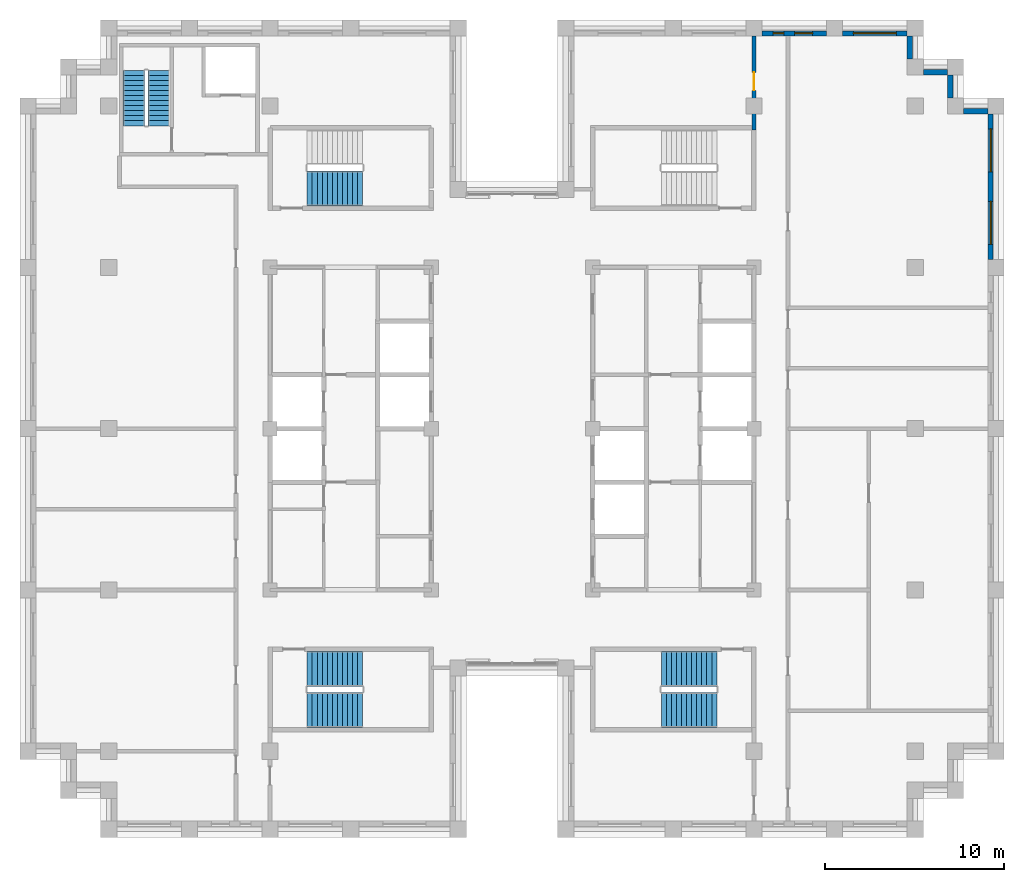
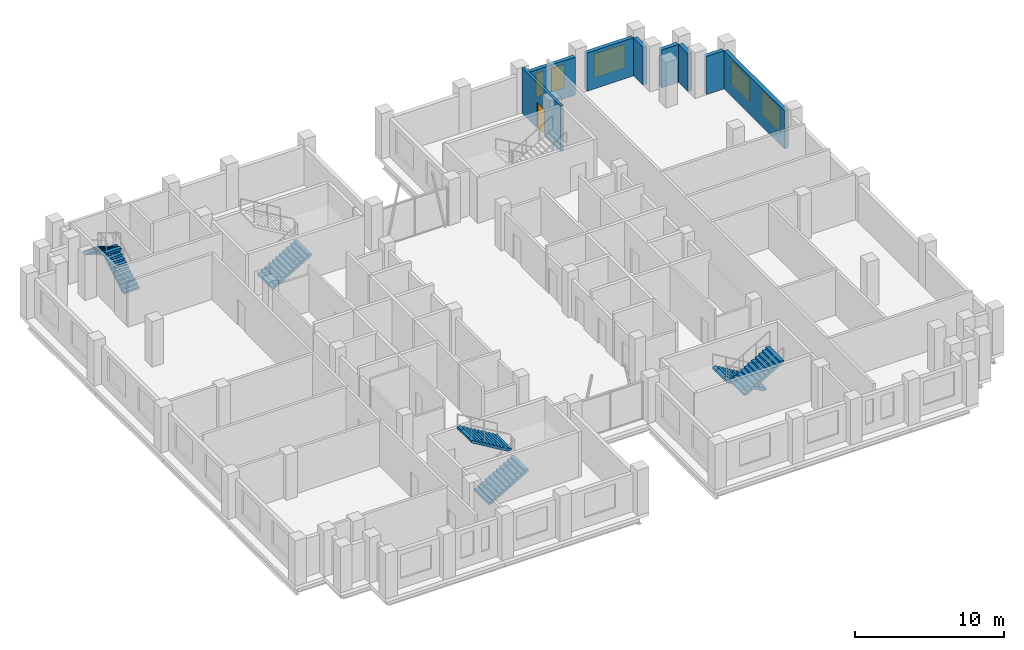
# One storey, part 11 of 13: 8 walls, 7 stair flights, 5 windows, 1 door, 6 openings, 4 elements without a shape of their own.
"""IFC4 building model written with IfcOpenShell, lengths in metres."""

import ifcopenshell
import ifcopenshell.guid

model = None  # the IFC model being written
_history = None  # IfcOwnerHistory: only IFC2X3 demands one
_inside = {}  # id of a spatial element -> (the spatial element, [elements in it])
_under = {}  # id of a project, library or spatial element -> (it, [spatial elements below it])
_declared = {}  # id of a project -> (the project, [libraries it declares])
_typed = {}  # id of a type object -> (the type object, [elements of that type])
_made_of = {}  # id of a material, layer set ... -> (it, [elements and type objects made of it])


def new_model(schema):
    """Start an empty IFC model of exactly this schema.

    Asked for "IFC4X3", IfcOpenShell would pick the latest addendum, in which some entities
    have other attributes; the version numbers below select the first issue.
    IFC2X3 requires an IfcOwnerHistory on every rooted entity: one is made here for all.
    """
    global model, _history
    if schema == "IFC4X3":
        model = ifcopenshell.file(schema_version=(4, 3, 0, 0))
    else:
        model = ifcopenshell.file(schema=schema)
    _inside.clear()
    _under.clear()
    _declared.clear()
    _typed.clear()
    _made_of.clear()
    _history = None
    if model.schema == "IFC2X3":
        org = make("IfcOrganization", Name="unknown")
        user = make(
            "IfcPersonAndOrganization",
            ThePerson=make("IfcPerson", FamilyName="unknown"),
            TheOrganization=org,
        )
        app = make(
            "IfcApplication",
            ApplicationDeveloper=org,
            Version="unknown",
            ApplicationFullName="unknown",
            ApplicationIdentifier="unknown",
        )
        _history = make(
            "IfcOwnerHistory",
            OwningUser=user,
            OwningApplication=app,
            ChangeAction="ADDED",
            CreationDate=0,
        )
    return model


def make(cls, **values):
    """One entity of the class cls with the attributes given. An attribute that is None is left unset."""
    return model.create_entity(
        cls, **{name: value for name, value in values.items() if value is not None}
    )


def rooted(cls, **values):
    """An entity with a GlobalId (a new one), such as an element, a storey or a relation."""
    return make(cls, GlobalId=ifcopenshell.guid.new(), OwnerHistory=_history, **values)


def si_unit(unit_type, name, prefix=None):
    """IfcSIUnit, for example si_unit("LENGTHUNIT", "METRE", prefix="MILLI")."""
    return make("IfcSIUnit", UnitType=unit_type, Prefix=prefix, Name=name)


def assignment(units):
    """IfcUnitAssignment: the units of a project."""
    return None if units is None else make("IfcUnitAssignment", Units=units)


def point(xyz):
    """IfcCartesianPoint."""
    return None if xyz is None else make("IfcCartesianPoint", Coordinates=xyz)


def direction(xyz):
    """IfcDirection."""
    return None if xyz is None else make("IfcDirection", DirectionRatios=xyz)


def frame(location, z_axis=None, x_axis=None):
    """IfcAxis2Placement3D, a coordinate frame: its origin and axes. An axis left out is left unset."""
    return make(
        "IfcAxis2Placement3D",
        Location=point(location),
        Axis=direction(z_axis),
        RefDirection=direction(x_axis),
    )


def frame_2d(location, x_axis=None):
    """IfcAxis2Placement2D, a coordinate frame in the plane: its origin and x axis."""
    return make(
        "IfcAxis2Placement2D", Location=point(location), RefDirection=direction(x_axis)
    )


def origin():
    """The frame at (0, 0, 0) with its axes left unset."""
    return frame((0.0, 0.0, 0.0))


def place(relative_to, where):
    """IfcLocalPlacement: puts the frame where relative to a parent placement (None: the world)."""
    return make(
        "IfcLocalPlacement", PlacementRelTo=relative_to, RelativePlacement=where
    )


def context(
    kind, dimensions, precision=None, world=None, true_north=None, identifier=None
):
    """IfcGeometricRepresentationContext, for example the 3D "Model" context."""
    return make(
        "IfcGeometricRepresentationContext",
        ContextIdentifier=identifier,
        ContextType=kind,
        CoordinateSpaceDimension=dimensions,
        Precision=precision,
        WorldCoordinateSystem=world,
        TrueNorth=true_north,
    )


def subcontext(parent, identifier, kind, view, scale=None):
    """IfcGeometricRepresentationSubContext, for example "Body" below "Model"."""
    return make(
        "IfcGeometricRepresentationSubContext",
        ContextIdentifier=identifier,
        ContextType=kind,
        ParentContext=parent,
        TargetScale=scale,
        TargetView=view,
    )


def project(units=None, contexts=None):
    """IfcProject with its units and contexts."""
    return rooted(
        "IfcProject",
        Name="project",
        RepresentationContexts=contexts,
        UnitsInContext=assignment(units),
    )


def spatial(cls, under=None, at=None, **own):
    """A site, building, storey or space (cls), placed at a placement, below another one or the project."""
    s = rooted(cls, ObjectPlacement=at, **own)
    if under is not None:
        _under.setdefault(under.id(), (under, []))[1].append(s)
    return s


def polyline(points):
    """IfcPolyline through the points."""
    return make("IfcPolyline", Points=[point(p) for p in points])


def profile(cls, at=None, kind="AREA", **sizes):
    """A parametric profile (cls). Its sizes go by their IFC names, for example OverallWidth=200.0."""
    return make(cls, ProfileType=kind, Position=at, **sizes)


def rectangle(**sizes):
    """IfcRectangleProfileDef."""
    return profile("IfcRectangleProfileDef", **sizes)


def outline(outer, holes=None, kind="AREA"):
    """IfcArbitraryClosedProfileDef: a profile drawn as a closed curve; with holes, ...WithVoids."""
    if holes is None:
        return make("IfcArbitraryClosedProfileDef", ProfileType=kind, OuterCurve=outer)
    return make(
        "IfcArbitraryProfileDefWithVoids",
        ProfileType=kind,
        OuterCurve=outer,
        InnerCurves=holes,
    )


def extrude(swept, where, along, depth):
    """IfcExtrudedAreaSolid: the profile swept, set in the frame where, extruded along a direction by depth."""
    return make(
        "IfcExtrudedAreaSolid",
        SweptArea=swept,
        Position=where,
        ExtrudedDirection=direction(along),
        Depth=depth,
    )


def shape(context_of_items, identifier, shape_type, items):
    """IfcShapeRepresentation: the items that make up one representation, for example the "Body"."""
    return make(
        "IfcShapeRepresentation",
        ContextOfItems=context_of_items,
        RepresentationIdentifier=identifier,
        RepresentationType=shape_type,
        Items=items,
    )


def material(Name=None, Category=None):
    """IfcMaterial."""
    return make("IfcMaterial", Name=Name, Category=Category)


def layer(
    of_material, thickness, ventilated=None, Name=None, Category=None, Priority=None
):
    """IfcMaterialLayer: one layer of a wall or slab, of a material (None: an air gap)."""
    return make(
        "IfcMaterialLayer",
        Material=of_material,
        LayerThickness=thickness,
        IsVentilated=ventilated,
        Name=Name,
        Category=Category,
        Priority=Priority,
    )


def layer_set(layers, Name=None):
    """IfcMaterialLayerSet."""
    return make("IfcMaterialLayerSet", MaterialLayers=layers, LayerSetName=Name)


def made_of(thing, what):
    """Note that an element or type object is made of a material, layer set ...; save() writes the relation."""
    if what is not None:
        _made_of.setdefault(what.id(), (what, []))[1].append(thing)
    return thing


def type_object(cls, material=None, **own):
    """A type object (cls), such as IfcWallType, which elements share."""
    return made_of(rooted(cls, **own), material)


def element(
    cls,
    number,
    at=None,
    inside=None,
    cuts=None,
    type_object=None,
    material=None,
    context=None,
    identifier="Body",
    shape_type=None,
    held_by="IfcProductDefinitionShape",
    body=None,
    shapes=None,
    **own,
):
    """One element of the class cls, such as IfcWall. Its Tag is "e" and its number.

    at: its placement. inside: the storey or other place that contains it. cuts: it is an
    opening in that element (IfcRelVoidsElement). A single representation is given by context,
    identifier, shape_type and body (its items); several are given by shapes. held_by: the class
    of the entity that holds the representations. save() writes the other relations.
    """
    e = rooted(cls, Tag="e%d" % number, ObjectPlacement=at, **own)
    if body is not None:
        shapes = [shape(context, identifier, shape_type, body)]
    if shapes is not None:
        e.Representation = make(held_by, Representations=shapes)
    if inside is not None:
        _inside.setdefault(inside.id(), (inside, []))[1].append(e)
    if cuts is not None:
        rooted(
            "IfcRelVoidsElement", RelatingBuildingElement=cuts, RelatedOpeningElement=e
        )
    if type_object is not None:
        _typed.setdefault(type_object.id(), (type_object, []))[1].append(e)
    return made_of(e, material)


def fill(opening, filler):
    """IfcRelFillsElement: the door or window that sits in an opening."""
    return rooted(
        "IfcRelFillsElement",
        RelatingOpeningElement=opening,
        RelatedBuildingElement=filler,
    )


def aggregate(whole, parts):
    """IfcRelAggregates: a whole, such as a stair, and the parts it consists of."""
    return rooted("IfcRelAggregates", RelatingObject=whole, RelatedObjects=parts)


def save(model, path):
    """Write the relations noted so far, then the file.

    IfcRelAggregates (storeys below a building ...), IfcRelContainedInSpatialStructure (elements
    in a storey), IfcRelDefinesByType, IfcRelAssociatesMaterial and IfcRelDeclares: one each for
    every whole, place, type object, material and project.
    """
    for whole, parts in _under.values():
        aggregate(whole, parts)
    for where, things in _inside.values():
        rooted(
            "IfcRelContainedInSpatialStructure",
            RelatedElements=things,
            RelatingStructure=where,
        )
    for kind, things in _typed.values():
        rooted("IfcRelDefinesByType", RelatedObjects=things, RelatingType=kind)
    for what, things in _made_of.values():
        rooted("IfcRelAssociatesMaterial", RelatedObjects=things, RelatingMaterial=what)
    for by, libraries in _declared.values():
        rooted("IfcRelDeclares", RelatingContext=by, RelatedDefinitions=libraries)
    model.write(path)


model = new_model("IFC4")

# Units and contexts
model_context = context("Model", 3, precision=1e-05, world=origin(), true_north=direction((0.0, 1.0)))
body_context = subcontext(model_context, "Body", "Model", "MODEL_VIEW")
ifc_project = project(units=[si_unit("LENGTHUNIT", "METRE"), si_unit("AREAUNIT", "SQUARE_METRE"), si_unit("VOLUMEUNIT", "CUBIC_METRE"), si_unit("PLANEANGLEUNIT", "RADIAN"), si_unit("MASSUNIT", "GRAM", prefix="KILO")], contexts=[model_context])

# Site, building, storey
site_placement = place(None, origin())
site = spatial("IfcSite", under=ifc_project, at=site_placement, CompositionType="ELEMENT")
building_placement = place(site_placement, origin())
building = spatial("IfcBuilding", under=site, at=building_placement, Name="Corbelhall Arena Tower", CompositionType="ELEMENT")
storey_placement = place(building_placement, frame((0.0, 0.0, 286.0)))
storey = spatial("IfcBuildingStorey", under=building, at=storey_placement, Name="L62", CompositionType="ELEMENT", Elevation=286.0)

# Wall, openings, windows
ifc_material_1 = material(Name="Precast concrete C40/50 with granite facing", Category="masonry")
ifc_layer_1 = layer(ifc_material_1, 0.300048828125)
ifc_layer_set_1 = layer_set([ifc_layer_1], Name="EV-IW1 Infill panel 300")
wall_type_1 = type_object("IfcWallType", Name="EV-IW1 Infill panel 300", PredefinedType="SOLIDWALL", material=ifc_layer_set_1)
wall_1_placement = place(storey_placement, frame((26.699951171875, 9.449951171875, 0.0), z_axis=(0.0, 0.0, 1.0), x_axis=(0.0, 1.0, 0.0)))
wall_1 = element("IfcWall", 1, at=wall_1_placement, inside=storey, type_object=wall_type_1, Name="Infill panel IW1", PredefinedType="SOLIDWALL", context=body_context, shape_type="SweptSolid", body=[
    extrude(rectangle(XDim=8.10009765625, YDim=0.300048828125, at=frame_2d((4.050048828125, 0.0))), origin(), (0.0, 0.0, 1.0), 3.1201171875),
])
opening_1_placement = place(wall_1_placement, frame((0.824951171875, 0.0, 0.800048828125)))
opening_1 = element("IfcOpeningElement", 2, at=opening_1_placement, cuts=wall_1, Name="Opening WN1", PredefinedType="OPENING", context=body_context, shape_type="SweptSolid", body=[
    extrude(rectangle(XDim=2.39990234375, YDim=1.949951171875, at=frame_2d((1.199951171875, 0.97509765625))), frame((0.0, 0.14990234375, 0.0), z_axis=(0.0, -1.0, 0.0), x_axis=(1.0, 0.0, 0.0)), (0.0, 0.0, 1.0), 0.300048828125),
])
opening_2_placement = place(wall_1_placement, frame((4.875, 0.0, 0.800048828125)))
opening_2 = element("IfcOpeningElement", 3, at=opening_2_placement, cuts=wall_1, Name="Opening WN1", PredefinedType="OPENING", context=body_context, shape_type="SweptSolid", body=[
    extrude(rectangle(XDim=2.39990234375, YDim=1.949951171875, at=frame_2d((1.199951171875, 0.97509765625))), frame((0.0, 0.14990234375, 0.0), z_axis=(0.0, -1.0, 0.0), x_axis=(1.0, 0.0, 0.0)), (0.0, 0.0, 1.0), 0.300048828125),
])
ifc_material_2 = material(Name="Aluminium black anodised", Category="aluminium")
window_type_1 = type_object("IfcWindowType", Name="EV-WN1 Office window", PartitioningType="SINGLE_PANEL", PredefinedType="WINDOW", material=ifc_material_2)
window_1_placement = place(opening_1_placement, origin())
window_1 = element("IfcWindow", 4, at=window_1_placement, inside=storey, type_object=window_type_1, Name="Window WN1", OverallHeight=1.949951171875, OverallWidth=2.39990234375, PartitioningType="SINGLE_PANEL", PredefinedType="WINDOW", context=body_context, shape_type="SweptSolid", body=[
    extrude(rectangle(XDim=2.39990234375, YDim=1.949951171875, at=frame_2d((1.199951171875, 0.97509765625))), frame((0.0, 0.030029296875, 0.0), z_axis=(0.0, -1.0, 0.0), x_axis=(1.0, 0.0, 0.0)), (0.0, 0.0, 1.0), 0.06005859375),
])
fill(opening_1, window_1)
window_2_placement = place(opening_2_placement, origin())
window_2 = element("IfcWindow", 5, at=window_2_placement, inside=storey, type_object=window_type_1, Name="Window WN1", OverallHeight=1.949951171875, OverallWidth=2.39990234375, PartitioningType="SINGLE_PANEL", PredefinedType="WINDOW", context=body_context, shape_type="SweptSolid", body=[
    extrude(rectangle(XDim=2.39990234375, YDim=1.949951171875, at=frame_2d((1.199951171875, 0.97509765625))), frame((0.0, 0.030029296875, 0.0), z_axis=(0.0, -1.0, 0.0), x_axis=(1.0, 0.0, 0.0)), (0.0, 0.0, 1.0), 0.06005859375),
])
fill(opening_2, window_2)

# Walls
wall_2_placement = place(storey_placement, frame((26.550048828125, 17.699951171875, 0.0), z_axis=(0.0, 0.0, 1.0), x_axis=(-1.0, 0.0, 0.0)))
element("IfcWall", 6, at=wall_2_placement, inside=storey, type_object=wall_type_1, Name="Infill panel IW1", PredefinedType="SOLIDWALL", context=body_context, shape_type="SweptSolid", body=[
    extrude(rectangle(XDim=1.35009765625, YDim=0.300048828125, at=frame_2d((0.675048828125, 0.0))), origin(), (0.0, 0.0, 1.0), 3.1201171875),
])
wall_3_placement = place(storey_placement, frame((24.449951171875, 18.449951171875, 0.0), z_axis=(0.0, 0.0, 1.0), x_axis=(0.0, 1.0, 0.0)))
element("IfcWall", 7, at=wall_3_placement, inside=storey, type_object=wall_type_1, Name="Infill panel IW1", PredefinedType="SOLIDWALL", context=body_context, shape_type="SweptSolid", body=[
    extrude(rectangle(XDim=1.275146484375, YDim=0.300048828125, at=frame_2d((0.6376953125, 0.0))), origin(), (0.0, 0.0, 1.0), 3.1201171875),
])
wall_4_placement = place(storey_placement, frame((24.300048828125, 19.875, 0.0), z_axis=(0.0, 0.0, 1.0), x_axis=(-1.0, 0.0, 0.0)))
element("IfcWall", 8, at=wall_4_placement, inside=storey, type_object=wall_type_1, Name="Infill panel IW1", PredefinedType="SOLIDWALL", context=body_context, shape_type="SweptSolid", body=[
    extrude(rectangle(XDim=1.35009765625, YDim=0.300048828125, at=frame_2d((0.675048828125, 0.0))), origin(), (0.0, 0.0, 1.0), 3.1201171875),
])
wall_5_placement = place(storey_placement, frame((22.199951171875, 20.625, 0.0), z_axis=(0.0, 0.0, 1.0), x_axis=(0.0, 1.0, 0.0)))
element("IfcWall", 9, at=wall_5_placement, inside=storey, type_object=wall_type_1, Name="Infill panel IW1", PredefinedType="SOLIDWALL", context=body_context, shape_type="SweptSolid", body=[
    extrude(rectangle(XDim=1.27490234375, YDim=0.300048828125, at=frame_2d((0.637451171875, 0.0))), origin(), (0.0, 0.0, 1.0), 3.1201171875),
])

# Wall, opening, window
wall_6_placement = place(storey_placement, frame((22.050048828125, 22.050048828125, 0.0), z_axis=(0.0, 0.0, 1.0), x_axis=(-1.0, 0.0, 0.0)))
wall_6 = element("IfcWall", 10, at=wall_6_placement, inside=storey, type_object=wall_type_1, Name="Infill panel IW1", PredefinedType="SOLIDWALL", context=body_context, shape_type="SweptSolid", body=[
    extrude(rectangle(XDim=3.60009765625, YDim=0.300048828125, at=frame_2d((1.800048828125, 0.0))), origin(), (0.0, 0.0, 1.0), 3.1201171875),
])
opening_3_placement = place(wall_6_placement, frame((0.60009765625, 0.0, 0.800048828125)))
opening_3 = element("IfcOpeningElement", 11, at=opening_3_placement, cuts=wall_6, Name="Opening WN1", PredefinedType="OPENING", context=body_context, shape_type="SweptSolid", body=[
    extrude(rectangle(XDim=2.39990234375, YDim=1.949951171875, at=frame_2d((1.199951171875, 0.97509765625))), frame((0.0, 0.14990234375, 0.0), z_axis=(0.0, -1.0, 0.0), x_axis=(1.0, 0.0, 0.0)), (0.0, 0.0, 1.0), 0.300048828125),
])
window_3_placement = place(opening_3_placement, origin())
window_3 = element("IfcWindow", 12, at=window_3_placement, inside=storey, type_object=window_type_1, Name="Window WN1", OverallHeight=1.949951171875, OverallWidth=2.39990234375, PartitioningType="SINGLE_PANEL", PredefinedType="WINDOW", context=body_context, shape_type="SweptSolid", body=[
    extrude(rectangle(XDim=2.39990234375, YDim=1.949951171875, at=frame_2d((1.199951171875, 0.97509765625))), frame((0.0, 0.030029296875, 0.0), z_axis=(0.0, -1.0, 0.0), x_axis=(1.0, 0.0, 0.0)), (0.0, 0.0, 1.0), 0.06005859375),
])
fill(opening_3, window_3)

# Wall, openings, windows
wall_7_placement = place(storey_placement, frame((17.550048828125, 22.050048828125, 0.0), z_axis=(0.0, 0.0, 1.0), x_axis=(-1.0, 0.0, 0.0)))
wall_7 = element("IfcWall", 13, at=wall_7_placement, inside=storey, type_object=wall_type_1, Name="Infill panel IW1", PredefinedType="SOLIDWALL", context=body_context, shape_type="SweptSolid", body=[
    extrude(rectangle(XDim=3.60009765625, YDim=0.300048828125, at=frame_2d((1.800048828125, 0.0))), origin(), (0.0, 0.0, 1.0), 3.1201171875),
])
opening_4_placement = place(wall_7_placement, frame((0.77490234375, 0.0, 0.800048828125)))
opening_4 = element("IfcOpeningElement", 14, at=opening_4_placement, cuts=wall_7, Name="Opening WN6", PredefinedType="OPENING", context=body_context, shape_type="SweptSolid", body=[
    extrude(rectangle(XDim=1.0, YDim=1.949951171875, at=frame_2d((0.5, 0.97509765625))), frame((0.0, 0.14990234375, 0.0), z_axis=(0.0, -1.0, 0.0), x_axis=(1.0, 0.0, 0.0)), (0.0, 0.0, 1.0), 0.300048828125),
])
opening_5_placement = place(wall_7_placement, frame((2.375, 0.0, 0.800048828125)))
opening_5 = element("IfcOpeningElement", 15, at=opening_5_placement, cuts=wall_7, Name="Opening WN5", PredefinedType="OPENING", context=body_context, shape_type="SweptSolid", body=[
    extrude(rectangle(XDim=0.60009765625, YDim=1.949951171875, at=frame_2d((0.300048828125, 0.97509765625))), frame((0.0, 0.14990234375, 0.0), z_axis=(0.0, -1.0, 0.0), x_axis=(1.0, 0.0, 0.0)), (0.0, 0.0, 1.0), 0.300048828125),
])
window_type_2 = type_object("IfcWindowType", Name="EV-WN5 Office window 600", PartitioningType="SINGLE_PANEL", PredefinedType="WINDOW", material=ifc_material_2)
window_4_placement = place(opening_5_placement, origin())
window_4 = element("IfcWindow", 16, at=window_4_placement, inside=storey, type_object=window_type_2, Name="Window WN5", OverallHeight=1.949951171875, OverallWidth=0.60009765625, PartitioningType="SINGLE_PANEL", PredefinedType="WINDOW", context=body_context, shape_type="SweptSolid", body=[
    extrude(rectangle(XDim=0.60009765625, YDim=1.949951171875, at=frame_2d((0.300048828125, 0.97509765625))), frame((0.0, 0.030029296875, 0.0), z_axis=(0.0, -1.0, 0.0), x_axis=(1.0, 0.0, 0.0)), (0.0, 0.0, 1.0), 0.06005859375),
])
fill(opening_5, window_4)
window_type_3 = type_object("IfcWindowType", Name="EV-WN6 Office window 1000", PartitioningType="SINGLE_PANEL", PredefinedType="WINDOW", material=ifc_material_2)
window_5_placement = place(opening_4_placement, origin())
window_5 = element("IfcWindow", 17, at=window_5_placement, inside=storey, type_object=window_type_3, Name="Window WN6", OverallHeight=1.949951171875, OverallWidth=1.0, PartitioningType="SINGLE_PANEL", PredefinedType="WINDOW", context=body_context, shape_type="SweptSolid", body=[
    extrude(rectangle(XDim=1.0, YDim=1.949951171875, at=frame_2d((0.5, 0.97509765625))), frame((0.0, 0.030029296875, 0.0), z_axis=(0.0, -1.0, 0.0), x_axis=(1.0, 0.0, 0.0)), (0.0, 0.0, 1.0), 0.06005859375),
])
fill(opening_4, window_5)

# Wall, opening, door
ifc_material_3 = material(Name="Gypsum board on steel stud, acoustic", Category="steel")
ifc_layer_2 = layer(ifc_material_3, 0.199951171875)
ifc_layer_set_2 = layer_set([ifc_layer_2], Name="IN-W-DM200")
wall_type_2 = type_object("IfcWallType", Name="IN-W-DM200", PredefinedType="PARTITIONING", material=ifc_layer_set_2)
wall_8_placement = place(storey_placement, frame((13.5, 16.675048828125, 0.0), z_axis=(0.0, 0.0, 1.0), x_axis=(0.0, 1.0, 0.0)))
wall_8 = element("IfcWall", 18, at=wall_8_placement, inside=storey, type_object=wall_type_2, Name="Partition 013", PredefinedType="PARTITIONING", context=body_context, shape_type="SweptSolid", body=[
    extrude(rectangle(XDim=5.224853515625, YDim=0.199951171875, at=frame_2d((2.6123046875, 0.0))), origin(), (0.0, 0.0, 1.0), 3.719970703125),
])
opening_6_placement = place(wall_8_placement, frame((2.199951171875, 0.0, 0.0)))
opening_6 = element("IfcOpeningElement", 19, at=opening_6_placement, cuts=wall_8, Name="Opening 20020", PredefinedType="OPENING", context=body_context, shape_type="SweptSolid", body=[
    extrude(rectangle(XDim=1.0, YDim=2.10009765625, at=frame_2d((0.5, 1.050048828125))), frame((0.0, 0.10009765625, 0.0), z_axis=(0.0, -1.0, 0.0), x_axis=(1.0, 0.0, 0.0)), (0.0, 0.0, 1.0), 0.199951171875),
])
ifc_material_4 = material(Name="Steel door set", Category="steel")
door_type = type_object("IfcDoorType", Name="IN-D-SW100", OperationType="NOTDEFINED", PredefinedType="DOOR", material=ifc_material_4)
door_placement = place(opening_6_placement, origin())
door = element("IfcDoor", 20, at=door_placement, inside=storey, type_object=door_type, Name="Door 020", OperationType="SINGLE_SWING_LEFT", OverallHeight=2.10009765625, OverallWidth=1.0, PredefinedType="DOOR", context=body_context, shape_type="SweptSolid", body=[
    extrude(rectangle(XDim=1.0, YDim=2.10009765625, at=frame_2d((0.5, 1.050048828125))), frame((0.0, 0.02490234375, 0.0), z_axis=(0.0, -1.0, 0.0), x_axis=(1.0, 0.0, 0.0)), (0.0, 0.0, 1.0), 0.050048828125),
])
fill(opening_6, door)

# Stair, stair flight
ifc_material_5 = material(Name="Concrete C40/50", Category="concrete")
stair_type = type_object("IfcStairType", Name="IN-ST-TOWER", PredefinedType="HALF_TURN_STAIR", material=ifc_material_5)
stair_1_placement = place(storey_placement, origin())
stair_1 = element("IfcStair", 21, at=stair_1_placement, inside=storey, type_object=stair_type, Name="L62 Exit stair ST1", PredefinedType="HALF_TURN_STAIR")
stair_flight_type = type_object("IfcStairFlightType", Name="IN-SFL-RC", PredefinedType="STRAIGHT", material=ifc_material_5)
stair_flight_1_placement = place(storey_placement, frame((-11.425048828125, 13.39990234375, 0.0), z_axis=(0.0, 0.0, 1.0), x_axis=(1.0, 0.0, 0.0)))
stair_flight_1 = element("IfcStairFlight", 22, at=stair_flight_1_placement, type_object=stair_flight_type, Name="ST1 flight 1", NumberOfRisers=12, NumberOfTreads=11, PredefinedType="STRAIGHT", RiserHeight=0.166666667, TreadLength=0.28, context=body_context, shape_type="SweptSolid", body=[
    extrude(outline(polyline([(0.0, 0.0), (0.0, 0.166748046875), (0.280029296875, 0.166748046875), (0.280029296875, 0.333251953125), (0.56005859375, 0.333251953125), (0.56005859375, 0.5), (0.840087890625, 0.5), (0.840087890625, 0.666748046875), (1.1201171875, 0.666748046875), (1.1201171875, 0.833251953125), (1.39990234375, 0.833251953125), (1.39990234375, 1.0), (1.679931640625, 1.0), (1.679931640625, 1.166748046875), (1.9599609375, 1.166748046875), (1.9599609375, 1.333251953125), (2.239990234375, 1.333251953125), (2.239990234375, 1.5), (2.52001953125, 1.5), (2.52001953125, 1.666748046875), (2.800048828125, 1.666748046875), (2.800048828125, 1.833251953125), (3.080078125, 1.833251953125), (3.080078125, 2.0), (3.080078125, 1.658935546875), (0.29296875, 0.0), (0.0, 0.0)])), frame((0.0, 0.97509765625, 0.0), z_axis=(0.0, -1.0, 0.0), x_axis=(1.0, 0.0, 0.0)), (0.0, 0.0, 1.0), 0.449951171875),
    extrude(outline(polyline([(0.0, 0.0), (0.0, 0.166748046875), (0.280029296875, 0.166748046875), (0.280029296875, 0.333251953125), (0.56005859375, 0.333251953125), (0.56005859375, 0.5), (0.840087890625, 0.5), (0.840087890625, 0.666748046875), (1.1201171875, 0.666748046875), (1.1201171875, 0.833251953125), (1.39990234375, 0.833251953125), (1.39990234375, 1.0), (1.679931640625, 1.0), (1.679931640625, 1.166748046875), (1.9599609375, 1.166748046875), (1.9599609375, 1.333251953125), (2.239990234375, 1.333251953125), (2.239990234375, 1.5), (2.52001953125, 1.5), (2.52001953125, 1.666748046875), (2.800048828125, 1.666748046875), (2.800048828125, 1.833251953125), (3.080078125, 1.833251953125), (3.080078125, 2.0), (3.080078125, 1.658935546875), (0.29296875, 0.0), (0.0, 0.0)])), frame((0.0, 0.52099609375, 0.0), z_axis=(0.0, -1.0, 0.0), x_axis=(1.0, 0.0, 0.0)), (0.0, 0.0, 1.0), 1.0419921875),
    extrude(outline(polyline([(0.0, 0.0), (0.0, 0.166748046875), (0.280029296875, 0.166748046875), (0.280029296875, 0.333251953125), (0.56005859375, 0.333251953125), (0.56005859375, 0.5), (0.840087890625, 0.5), (0.840087890625, 0.666748046875), (1.1201171875, 0.666748046875), (1.1201171875, 0.833251953125), (1.39990234375, 0.833251953125), (1.39990234375, 1.0), (1.679931640625, 1.0), (1.679931640625, 1.166748046875), (1.9599609375, 1.166748046875), (1.9599609375, 1.333251953125), (2.239990234375, 1.333251953125), (2.239990234375, 1.5), (2.52001953125, 1.5), (2.52001953125, 1.666748046875), (2.800048828125, 1.666748046875), (2.800048828125, 1.833251953125), (3.080078125, 1.833251953125), (3.080078125, 2.0), (3.080078125, 1.658935546875), (0.29296875, 0.0), (0.0, 0.0)])), frame((0.0, -0.52490234375, 0.0), z_axis=(0.0, -1.0, 0.0), x_axis=(1.0, 0.0, 0.0)), (0.0, 0.0, 1.0), 0.449951171875),
])
aggregate(stair_1, [stair_flight_1])

# Stair, stair flights
stair_2_placement = place(storey_placement, origin())
stair_2 = element("IfcStair", 23, at=stair_2_placement, inside=storey, type_object=stair_type, Name="L62 Exit stair ST2", PredefinedType="HALF_TURN_STAIR")
stair_flight_2_placement = place(storey_placement, frame((-11.425048828125, -15.699951171875, 0.0), z_axis=(0.0, 0.0, 1.0), x_axis=(1.0, 0.0, 0.0)))
stair_flight_2 = element("IfcStairFlight", 24, at=stair_flight_2_placement, type_object=stair_flight_type, Name="ST2 flight 1", NumberOfRisers=12, NumberOfTreads=11, PredefinedType="STRAIGHT", RiserHeight=0.166666667, TreadLength=0.28, context=body_context, shape_type="SweptSolid", body=[
    extrude(outline(polyline([(0.0, 0.0), (0.0, 0.166748046875), (0.280029296875, 0.166748046875), (0.280029296875, 0.333251953125), (0.56005859375, 0.333251953125), (0.56005859375, 0.5), (0.840087890625, 0.5), (0.840087890625, 0.666748046875), (1.1201171875, 0.666748046875), (1.1201171875, 0.833251953125), (1.39990234375, 0.833251953125), (1.39990234375, 1.0), (1.679931640625, 1.0), (1.679931640625, 1.166748046875), (1.9599609375, 1.166748046875), (1.9599609375, 1.333251953125), (2.239990234375, 1.333251953125), (2.239990234375, 1.5), (2.52001953125, 1.5), (2.52001953125, 1.666748046875), (2.800048828125, 1.666748046875), (2.800048828125, 1.833251953125), (3.080078125, 1.833251953125), (3.080078125, 2.0), (3.080078125, 1.658935546875), (0.29296875, 0.0), (0.0, 0.0)])), frame((0.0, 0.97509765625, 0.0), z_axis=(0.0, -1.0, 0.0), x_axis=(1.0, 0.0, 0.0)), (0.0, 0.0, 1.0), 0.449951171875),
    extrude(outline(polyline([(0.0, 0.0), (0.0, 0.166748046875), (0.280029296875, 0.166748046875), (0.280029296875, 0.333251953125), (0.56005859375, 0.333251953125), (0.56005859375, 0.5), (0.840087890625, 0.5), (0.840087890625, 0.666748046875), (1.1201171875, 0.666748046875), (1.1201171875, 0.833251953125), (1.39990234375, 0.833251953125), (1.39990234375, 1.0), (1.679931640625, 1.0), (1.679931640625, 1.166748046875), (1.9599609375, 1.166748046875), (1.9599609375, 1.333251953125), (2.239990234375, 1.333251953125), (2.239990234375, 1.5), (2.52001953125, 1.5), (2.52001953125, 1.666748046875), (2.800048828125, 1.666748046875), (2.800048828125, 1.833251953125), (3.080078125, 1.833251953125), (3.080078125, 2.0), (3.080078125, 1.658935546875), (0.29296875, 0.0), (0.0, 0.0)])), frame((0.0, 0.52099609375, 0.0), z_axis=(0.0, -1.0, 0.0), x_axis=(1.0, 0.0, 0.0)), (0.0, 0.0, 1.0), 1.0419921875),
    extrude(outline(polyline([(0.0, 0.0), (0.0, 0.166748046875), (0.280029296875, 0.166748046875), (0.280029296875, 0.333251953125), (0.56005859375, 0.333251953125), (0.56005859375, 0.5), (0.840087890625, 0.5), (0.840087890625, 0.666748046875), (1.1201171875, 0.666748046875), (1.1201171875, 0.833251953125), (1.39990234375, 0.833251953125), (1.39990234375, 1.0), (1.679931640625, 1.0), (1.679931640625, 1.166748046875), (1.9599609375, 1.166748046875), (1.9599609375, 1.333251953125), (2.239990234375, 1.333251953125), (2.239990234375, 1.5), (2.52001953125, 1.5), (2.52001953125, 1.666748046875), (2.800048828125, 1.666748046875), (2.800048828125, 1.833251953125), (3.080078125, 1.833251953125), (3.080078125, 2.0), (3.080078125, 1.658935546875), (0.29296875, 0.0), (0.0, 0.0)])), frame((0.0, -0.52490234375, 0.0), z_axis=(0.0, -1.0, 0.0), x_axis=(1.0, 0.0, 0.0)), (0.0, 0.0, 1.0), 0.449951171875),
])
stair_flight_3_placement = place(storey_placement, frame((-8.344970703125, -13.39990234375, 2.0), z_axis=(0.0, 0.0, 1.0), x_axis=(-1.0, 0.0, 0.0)))
stair_flight_3 = element("IfcStairFlight", 25, at=stair_flight_3_placement, type_object=stair_flight_type, Name="ST2 flight 2", NumberOfRisers=12, NumberOfTreads=11, PredefinedType="STRAIGHT", RiserHeight=0.166666667, TreadLength=0.28, context=body_context, shape_type="SweptSolid", body=[
    extrude(outline(polyline([(0.0, 0.0), (0.0, 0.166748046875), (0.280029296875, 0.166748046875), (0.280029296875, 0.333251953125), (0.56005859375, 0.333251953125), (0.56005859375, 0.5), (0.840087890625, 0.5), (0.840087890625, 0.666748046875), (1.1201171875, 0.666748046875), (1.1201171875, 0.833251953125), (1.39990234375, 0.833251953125), (1.39990234375, 1.0), (1.679931640625, 1.0), (1.679931640625, 1.166748046875), (1.9599609375, 1.166748046875), (1.9599609375, 1.333251953125), (2.239990234375, 1.333251953125), (2.239990234375, 1.5), (2.52001953125, 1.5), (2.52001953125, 1.666748046875), (2.800048828125, 1.666748046875), (2.800048828125, 1.833251953125), (3.080078125, 1.833251953125), (3.080078125, 2.0), (3.080078125, 1.658935546875), (0.29296875, 0.0), (0.0, 0.0)])), frame((0.0, 0.97509765625, 0.0), z_axis=(0.0, -1.0, 0.0), x_axis=(1.0, 0.0, 0.0)), (0.0, 0.0, 1.0), 0.449951171875),
    extrude(outline(polyline([(0.0, 0.0), (0.0, 0.166748046875), (0.280029296875, 0.166748046875), (0.280029296875, 0.333251953125), (0.56005859375, 0.333251953125), (0.56005859375, 0.5), (0.840087890625, 0.5), (0.840087890625, 0.666748046875), (1.1201171875, 0.666748046875), (1.1201171875, 0.833251953125), (1.39990234375, 0.833251953125), (1.39990234375, 1.0), (1.679931640625, 1.0), (1.679931640625, 1.166748046875), (1.9599609375, 1.166748046875), (1.9599609375, 1.333251953125), (2.239990234375, 1.333251953125), (2.239990234375, 1.5), (2.52001953125, 1.5), (2.52001953125, 1.666748046875), (2.800048828125, 1.666748046875), (2.800048828125, 1.833251953125), (3.080078125, 1.833251953125), (3.080078125, 2.0), (3.080078125, 1.658935546875), (0.29296875, 0.0), (0.0, 0.0)])), frame((0.0, 0.52099609375, 0.0), z_axis=(0.0, -1.0, 0.0), x_axis=(1.0, 0.0, 0.0)), (0.0, 0.0, 1.0), 1.0419921875),
    extrude(outline(polyline([(0.0, 0.0), (0.0, 0.166748046875), (0.280029296875, 0.166748046875), (0.280029296875, 0.333251953125), (0.56005859375, 0.333251953125), (0.56005859375, 0.5), (0.840087890625, 0.5), (0.840087890625, 0.666748046875), (1.1201171875, 0.666748046875), (1.1201171875, 0.833251953125), (1.39990234375, 0.833251953125), (1.39990234375, 1.0), (1.679931640625, 1.0), (1.679931640625, 1.166748046875), (1.9599609375, 1.166748046875), (1.9599609375, 1.333251953125), (2.239990234375, 1.333251953125), (2.239990234375, 1.5), (2.52001953125, 1.5), (2.52001953125, 1.666748046875), (2.800048828125, 1.666748046875), (2.800048828125, 1.833251953125), (3.080078125, 1.833251953125), (3.080078125, 2.0), (3.080078125, 1.658935546875), (0.29296875, 0.0), (0.0, 0.0)])), frame((0.0, -0.52490234375, 0.0), z_axis=(0.0, -1.0, 0.0), x_axis=(1.0, 0.0, 0.0)), (0.0, 0.0, 1.0), 0.449951171875),
])
aggregate(stair_2, [stair_flight_2, stair_flight_3])

stair_3_placement = place(storey_placement, origin())
stair_3 = element("IfcStair", 26, at=stair_3_placement, inside=storey, type_object=stair_type, Name="L62 Exit stair ST4", PredefinedType="HALF_TURN_STAIR")
stair_flight_4_placement = place(storey_placement, frame((11.425048828125, -13.39990234375, 0.0), z_axis=(0.0, 0.0, 1.0), x_axis=(-1.0, 0.0, 0.0)))
stair_flight_4 = element("IfcStairFlight", 27, at=stair_flight_4_placement, type_object=stair_flight_type, Name="ST4 flight 1", NumberOfRisers=12, NumberOfTreads=11, PredefinedType="STRAIGHT", RiserHeight=0.166666667, TreadLength=0.28, context=body_context, shape_type="SweptSolid", body=[
    extrude(outline(polyline([(0.0, 0.0), (0.0, 0.166748046875), (0.280029296875, 0.166748046875), (0.280029296875, 0.333251953125), (0.56005859375, 0.333251953125), (0.56005859375, 0.5), (0.840087890625, 0.5), (0.840087890625, 0.666748046875), (1.1201171875, 0.666748046875), (1.1201171875, 0.833251953125), (1.39990234375, 0.833251953125), (1.39990234375, 1.0), (1.679931640625, 1.0), (1.679931640625, 1.166748046875), (1.9599609375, 1.166748046875), (1.9599609375, 1.333251953125), (2.239990234375, 1.333251953125), (2.239990234375, 1.5), (2.52001953125, 1.5), (2.52001953125, 1.666748046875), (2.800048828125, 1.666748046875), (2.800048828125, 1.833251953125), (3.080078125, 1.833251953125), (3.080078125, 2.0), (3.080078125, 1.658935546875), (0.29296875, 0.0), (0.0, 0.0)])), frame((0.0, 0.97509765625, 0.0), z_axis=(0.0, -1.0, 0.0), x_axis=(1.0, 0.0, 0.0)), (0.0, 0.0, 1.0), 0.449951171875),
    extrude(outline(polyline([(0.0, 0.0), (0.0, 0.166748046875), (0.280029296875, 0.166748046875), (0.280029296875, 0.333251953125), (0.56005859375, 0.333251953125), (0.56005859375, 0.5), (0.840087890625, 0.5), (0.840087890625, 0.666748046875), (1.1201171875, 0.666748046875), (1.1201171875, 0.833251953125), (1.39990234375, 0.833251953125), (1.39990234375, 1.0), (1.679931640625, 1.0), (1.679931640625, 1.166748046875), (1.9599609375, 1.166748046875), (1.9599609375, 1.333251953125), (2.239990234375, 1.333251953125), (2.239990234375, 1.5), (2.52001953125, 1.5), (2.52001953125, 1.666748046875), (2.800048828125, 1.666748046875), (2.800048828125, 1.833251953125), (3.080078125, 1.833251953125), (3.080078125, 2.0), (3.080078125, 1.658935546875), (0.29296875, 0.0), (0.0, 0.0)])), frame((0.0, 0.52099609375, 0.0), z_axis=(0.0, -1.0, 0.0), x_axis=(1.0, 0.0, 0.0)), (0.0, 0.0, 1.0), 1.0419921875),
    extrude(outline(polyline([(0.0, 0.0), (0.0, 0.166748046875), (0.280029296875, 0.166748046875), (0.280029296875, 0.333251953125), (0.56005859375, 0.333251953125), (0.56005859375, 0.5), (0.840087890625, 0.5), (0.840087890625, 0.666748046875), (1.1201171875, 0.666748046875), (1.1201171875, 0.833251953125), (1.39990234375, 0.833251953125), (1.39990234375, 1.0), (1.679931640625, 1.0), (1.679931640625, 1.166748046875), (1.9599609375, 1.166748046875), (1.9599609375, 1.333251953125), (2.239990234375, 1.333251953125), (2.239990234375, 1.5), (2.52001953125, 1.5), (2.52001953125, 1.666748046875), (2.800048828125, 1.666748046875), (2.800048828125, 1.833251953125), (3.080078125, 1.833251953125), (3.080078125, 2.0), (3.080078125, 1.658935546875), (0.29296875, 0.0), (0.0, 0.0)])), frame((0.0, -0.52490234375, 0.0), z_axis=(0.0, -1.0, 0.0), x_axis=(1.0, 0.0, 0.0)), (0.0, 0.0, 1.0), 0.449951171875),
])
stair_flight_5_placement = place(storey_placement, frame((8.344970703125, -15.699951171875, 2.0), z_axis=(0.0, 0.0, 1.0), x_axis=(1.0, 0.0, 0.0)))
stair_flight_5 = element("IfcStairFlight", 28, at=stair_flight_5_placement, type_object=stair_flight_type, Name="ST4 flight 2", NumberOfRisers=12, NumberOfTreads=11, PredefinedType="STRAIGHT", RiserHeight=0.166666667, TreadLength=0.28, context=body_context, shape_type="SweptSolid", body=[
    extrude(outline(polyline([(0.0, 0.0), (0.0, 0.166748046875), (0.280029296875, 0.166748046875), (0.280029296875, 0.333251953125), (0.56005859375, 0.333251953125), (0.56005859375, 0.5), (0.840087890625, 0.5), (0.840087890625, 0.666748046875), (1.1201171875, 0.666748046875), (1.1201171875, 0.833251953125), (1.39990234375, 0.833251953125), (1.39990234375, 1.0), (1.679931640625, 1.0), (1.679931640625, 1.166748046875), (1.9599609375, 1.166748046875), (1.9599609375, 1.333251953125), (2.239990234375, 1.333251953125), (2.239990234375, 1.5), (2.52001953125, 1.5), (2.52001953125, 1.666748046875), (2.800048828125, 1.666748046875), (2.800048828125, 1.833251953125), (3.080078125, 1.833251953125), (3.080078125, 2.0), (3.080078125, 1.658935546875), (0.29296875, 0.0), (0.0, 0.0)])), frame((0.0, 0.97509765625, 0.0), z_axis=(0.0, -1.0, 0.0), x_axis=(1.0, 0.0, 0.0)), (0.0, 0.0, 1.0), 0.449951171875),
    extrude(outline(polyline([(0.0, 0.0), (0.0, 0.166748046875), (0.280029296875, 0.166748046875), (0.280029296875, 0.333251953125), (0.56005859375, 0.333251953125), (0.56005859375, 0.5), (0.840087890625, 0.5), (0.840087890625, 0.666748046875), (1.1201171875, 0.666748046875), (1.1201171875, 0.833251953125), (1.39990234375, 0.833251953125), (1.39990234375, 1.0), (1.679931640625, 1.0), (1.679931640625, 1.166748046875), (1.9599609375, 1.166748046875), (1.9599609375, 1.333251953125), (2.239990234375, 1.333251953125), (2.239990234375, 1.5), (2.52001953125, 1.5), (2.52001953125, 1.666748046875), (2.800048828125, 1.666748046875), (2.800048828125, 1.833251953125), (3.080078125, 1.833251953125), (3.080078125, 2.0), (3.080078125, 1.658935546875), (0.29296875, 0.0), (0.0, 0.0)])), frame((0.0, 0.52099609375, 0.0), z_axis=(0.0, -1.0, 0.0), x_axis=(1.0, 0.0, 0.0)), (0.0, 0.0, 1.0), 1.0419921875),
    extrude(outline(polyline([(0.0, 0.0), (0.0, 0.166748046875), (0.280029296875, 0.166748046875), (0.280029296875, 0.333251953125), (0.56005859375, 0.333251953125), (0.56005859375, 0.5), (0.840087890625, 0.5), (0.840087890625, 0.666748046875), (1.1201171875, 0.666748046875), (1.1201171875, 0.833251953125), (1.39990234375, 0.833251953125), (1.39990234375, 1.0), (1.679931640625, 1.0), (1.679931640625, 1.166748046875), (1.9599609375, 1.166748046875), (1.9599609375, 1.333251953125), (2.239990234375, 1.333251953125), (2.239990234375, 1.5), (2.52001953125, 1.5), (2.52001953125, 1.666748046875), (2.800048828125, 1.666748046875), (2.800048828125, 1.833251953125), (3.080078125, 1.833251953125), (3.080078125, 2.0), (3.080078125, 1.658935546875), (0.29296875, 0.0), (0.0, 0.0)])), frame((0.0, -0.52490234375, 0.0), z_axis=(0.0, -1.0, 0.0), x_axis=(1.0, 0.0, 0.0)), (0.0, 0.0, 1.0), 0.449951171875),
])
aggregate(stair_3, [stair_flight_4, stair_flight_5])

stair_4_placement = place(storey_placement, origin())
stair_4 = element("IfcStair", 29, at=stair_4_placement, inside=storey, type_object=stair_type, Name="L62 Exit stair ST5", PredefinedType="HALF_TURN_STAIR")
stair_flight_6_placement = place(storey_placement, frame((-19.695068359375, 16.89990234375, 0.0), z_axis=(0.0, 0.0, 1.0), x_axis=(0.0, 1.0, 0.0)))
stair_flight_6 = element("IfcStairFlight", 30, at=stair_flight_6_placement, type_object=stair_flight_type, Name="ST5 flight 1", NumberOfRisers=12, NumberOfTreads=11, PredefinedType="STRAIGHT", RiserHeight=0.166666667, TreadLength=0.28, context=body_context, shape_type="SweptSolid", body=[
    extrude(outline(polyline([(0.0, 0.0), (0.0, 0.166748046875), (0.280029296875, 0.166748046875), (0.280029296875, 0.333251953125), (0.56005859375, 0.333251953125), (0.56005859375, 0.5), (0.840087890625, 0.5), (0.840087890625, 0.666748046875), (1.1201171875, 0.666748046875), (1.1201171875, 0.833251953125), (1.39990234375, 0.833251953125), (1.39990234375, 1.0), (1.679931640625, 1.0), (1.679931640625, 1.166748046875), (1.9599609375, 1.166748046875), (1.9599609375, 1.333251953125), (2.239990234375, 1.333251953125), (2.239990234375, 1.5), (2.52001953125, 1.5), (2.52001953125, 1.666748046875), (2.800048828125, 1.666748046875), (2.800048828125, 1.833251953125), (3.080078125, 1.833251953125), (3.080078125, 2.0), (3.080078125, 1.658935546875), (0.29296875, 0.0), (0.0, 0.0)])), frame((0.0, 0.60009765625, 0.0), z_axis=(0.0, -1.0, 0.0), x_axis=(1.0, 0.0, 0.0)), (0.0, 0.0, 1.0), 1.199951171875),
])
stair_flight_7_placement = place(storey_placement, frame((-21.094970703125, 19.97998046875, 2.0), z_axis=(0.0, 0.0, 1.0), x_axis=(0.0, -1.0, 0.0)))
stair_flight_7 = element("IfcStairFlight", 31, at=stair_flight_7_placement, type_object=stair_flight_type, Name="ST5 flight 2", NumberOfRisers=12, NumberOfTreads=11, PredefinedType="STRAIGHT", RiserHeight=0.166666667, TreadLength=0.28, context=body_context, shape_type="SweptSolid", body=[
    extrude(outline(polyline([(0.0, 0.0), (0.0, 0.166748046875), (0.280029296875, 0.166748046875), (0.280029296875, 0.333251953125), (0.56005859375, 0.333251953125), (0.56005859375, 0.5), (0.840087890625, 0.5), (0.840087890625, 0.666748046875), (1.1201171875, 0.666748046875), (1.1201171875, 0.833251953125), (1.39990234375, 0.833251953125), (1.39990234375, 1.0), (1.679931640625, 1.0), (1.679931640625, 1.166748046875), (1.9599609375, 1.166748046875), (1.9599609375, 1.333251953125), (2.239990234375, 1.333251953125), (2.239990234375, 1.5), (2.52001953125, 1.5), (2.52001953125, 1.666748046875), (2.800048828125, 1.666748046875), (2.800048828125, 1.833251953125), (3.080078125, 1.833251953125), (3.080078125, 2.0), (3.080078125, 1.658935546875), (0.29296875, 0.0), (0.0, 0.0)])), frame((0.0, 0.60009765625, 0.0), z_axis=(0.0, -1.0, 0.0), x_axis=(1.0, 0.0, 0.0)), (0.0, 0.0, 1.0), 1.199951171875),
])
aggregate(stair_4, [stair_flight_6, stair_flight_7])

save(model, "model.ifc")
